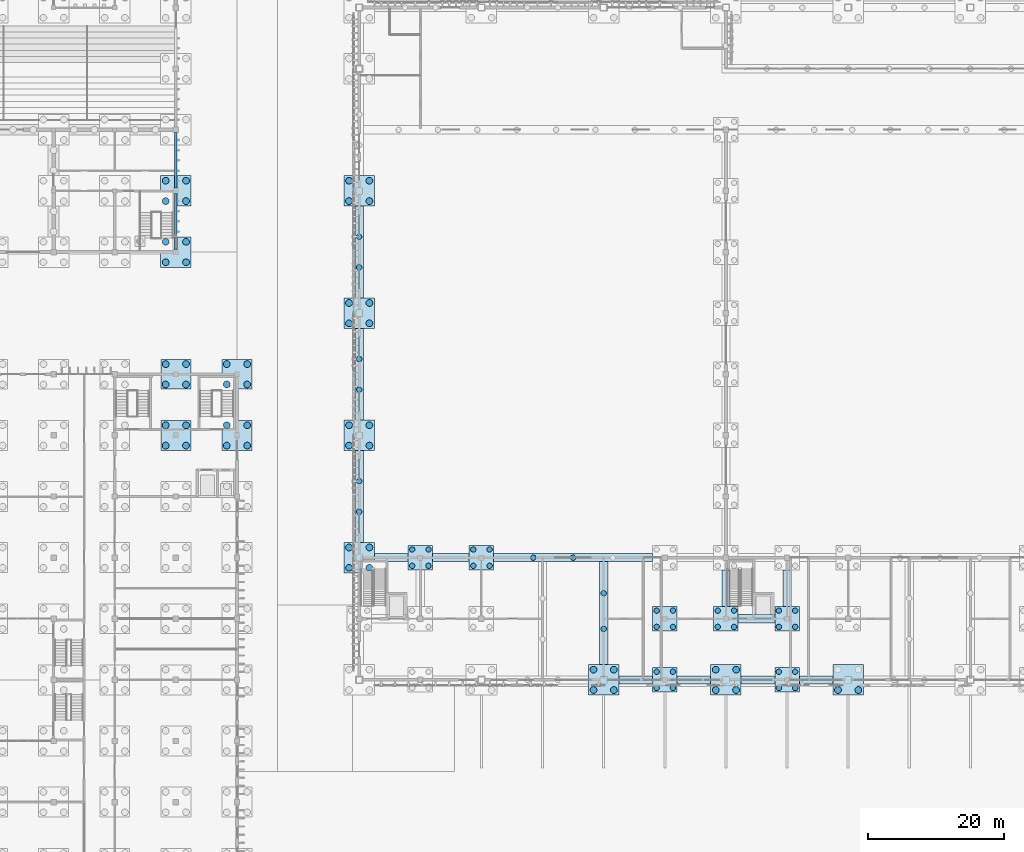
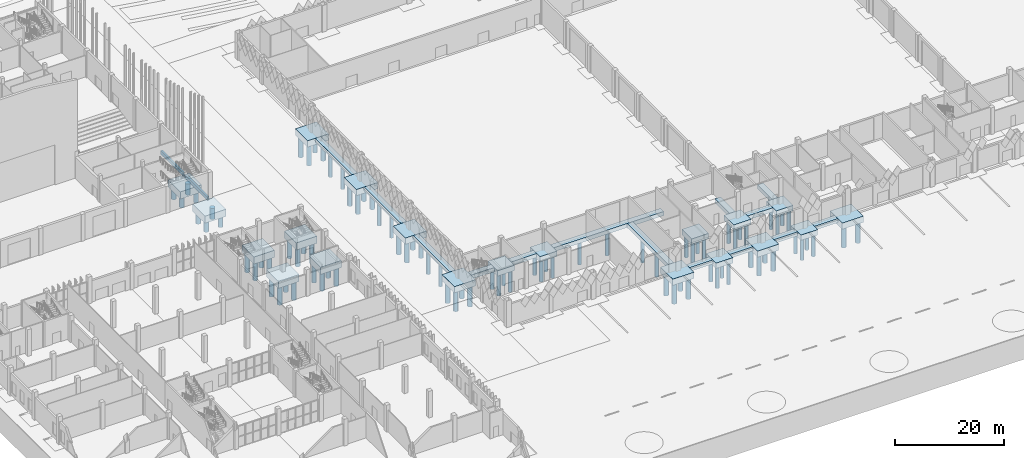
# One storey, part 5 of 198: 88 piles, 36 footings.
"""IFC4 building model written with IfcOpenShell, lengths in metres."""

from ifc_helpers import new_model, si_unit, direction, frame, origin, origin_2d, place, context, subcontext, project, spatial, polyline, circle, outline, extrude, material, layer, layer_set, material_profile, profile_set, type_object, element, save


model = new_model("IFC4")

# Units and contexts
model_context = context("Model", 3, precision=1e-05, world=origin(), true_north=direction((0.0, 1.0)))
body_context = subcontext(model_context, "Body", "Model", "MODEL_VIEW")
ifc_project = project(units=[si_unit("LENGTHUNIT", "METRE"), si_unit("AREAUNIT", "SQUARE_METRE"), si_unit("VOLUMEUNIT", "CUBIC_METRE"), si_unit("PLANEANGLEUNIT", "RADIAN"), si_unit("MASSUNIT", "GRAM", prefix="KILO")], contexts=[model_context])

# Site, building, storey
site_placement = place(None, origin())
site = spatial("IfcSite", under=ifc_project, at=site_placement, CompositionType="ELEMENT")
building_placement = place(site_placement, origin())
building = spatial("IfcBuilding", under=site, at=building_placement, Name="Opaline Strait Convention Centre", CompositionType="ELEMENT")
storey_placement = place(building_placement, origin())
storey = spatial("IfcBuildingStorey", under=building, at=storey_placement, Name="L00", CompositionType="ELEMENT", Elevation=0.0)

# Piles
ifc_material_1 = material(Name="Concrete C35", Category="concrete")
ifc_material_profile_1 = material_profile(ifc_material_1, circle(Radius=0.5, at=origin_2d()), Name="D1000")
ifc_profile_set_1 = profile_set([ifc_material_profile_1], Name="Concrete C35")
pile_type_1 = type_object("IfcPileType", Name="Bored pile D1000 C35", PredefinedType="BORED", material=ifc_profile_set_1)
for number, where, z_axis, x_axis, name in (
    (1, (97.5, 70.5, -1.300048828125), (0.0, 0.0, -1.0), (1.0, 0.0, 0.0), "Bored pile of cap 99/72"),
    (2, (97.5, 73.5, -1.300048828125), (0.0, 0.0, -1.0), (1.0, 0.0, 0.0), "Bored pile of cap 99/72"),
    (3, (100.5, 70.5, -1.300048828125), (0.0, 0.0, -1.0), (1.0, 0.0, 0.0), "Bored pile of cap 99/72"),
    (4, (100.5, 73.5, -1.300048828125), (0.0, 0.0, -1.0), (1.0, 0.0, 0.0), "Bored pile of cap 99/72"),
    (5, (97.5, 88.5, -1.300048828125), (0.0, 0.0, -1.0), (1.0, 0.0, 0.0), "Bored pile of cap 99/90"),
    (6, (97.5, 91.5, -1.300048828125), (0.0, 0.0, -1.0), (1.0, 0.0, 0.0), "Bored pile of cap 99/90"),
    (7, (100.5, 88.5, -1.300048828125), (0.0, 0.0, -1.0), (1.0, 0.0, 0.0), "Bored pile of cap 99/90"),
    (8, (100.5, 91.5, -1.300048828125), (0.0, 0.0, -1.0), (1.0, 0.0, 0.0), "Bored pile of cap 99/90"),
    (9, (97.5, 106.5, -1.300048828125), (0.0, 0.0, -1.0), (1.0, 0.0, 0.0), "Bored pile of cap 99/108"),
    (10, (97.5, 109.5, -1.300048828125), (0.0, 0.0, -1.0), (1.0, 0.0, 0.0), "Bored pile of cap 99/108"),
    (11, (100.5, 106.5, -1.300048828125), (0.0, 0.0, -1.0), (1.0, 0.0, 0.0), "Bored pile of cap 99/108"),
    (12, (100.5, 109.5, -1.300048828125), (0.0, 0.0, -1.0), (1.0, 0.0, 0.0), "Bored pile of cap 99/108"),
    (13, (97.5, 124.5, -1.300048828125), (0.0, 0.0, -1.0), (1.0, 0.0, 0.0), "Bored pile of cap 99/126"),
    (14, (97.5, 127.5, -1.300048828125), (0.0, 0.0, -1.0), (1.0, 0.0, 0.0), "Bored pile of cap 99/126"),
    (15, (100.5, 124.5, -1.300048828125), (0.0, 0.0, -1.0), (1.0, 0.0, 0.0), "Bored pile of cap 99/126"),
    (16, (100.5, 127.5, -1.300048828125), (0.0, 0.0, -1.0), (1.0, 0.0, 0.0), "Bored pile of cap 99/126"),
    (17, (133.5, 52.5, -1.300048828125), (0.0, 0.0, -1.0), (1.0, 0.0, 0.0), "Bored pile of cap 135/54"),
    (18, (133.5, 55.5, -1.300048828125), (0.0, 0.0, -1.0), (1.0, 0.0, 0.0), "Bored pile of cap 135/54"),
    (19, (136.5, 52.5, -1.300048828125), (0.0, 0.0, -1.0), (1.0, 0.0, 0.0), "Bored pile of cap 135/54"),
    (20, (136.5, 55.5, -1.300048828125), (0.0, 0.0, -1.0), (1.0, 0.0, 0.0), "Bored pile of cap 135/54"),
    (21, (151.5, 52.5, -1.300048828125), (0.0, 0.0, -1.0), (1.0, 0.0, 0.0), "Bored pile of cap 153/54"),
    (22, (151.5, 55.5, -1.300048828125), (0.0, 0.0, -1.0), (1.0, 0.0, 0.0), "Bored pile of cap 153/54"),
    (23, (154.5, 52.5, -1.300048828125), (0.0, 0.0, -1.0), (1.0, 0.0, 0.0), "Bored pile of cap 153/54"),
    (24, (154.5, 55.5, -1.300048828125), (0.0, 0.0, -1.0), (1.0, 0.0, 0.0), "Bored pile of cap 153/54"),
    (25, (169.5, 52.5, -1.300048828125), (0.0, 0.0, -1.0), (1.0, 0.0, 0.0), "Bored pile of cap 171/54"),
    (26, (172.5, 52.5, -1.300048828125), (0.0, 0.0, -1.0), (1.0, 0.0, 0.0), "Bored pile of cap 171/54"),
):
    element("IfcPile", number, at=place(storey_placement, frame(where, z_axis=z_axis, x_axis=x_axis)), inside=storey, type_object=pile_type_1, Name=name, PredefinedType="BORED", context=body_context, shape_type="SweptSolid", body=[
        extrude(circle(Radius=0.5, at=origin_2d()), origin(), (0.0, 0.0, 1.0), 4.699951171875),
    ])
ifc_material_profile_2 = material_profile(ifc_material_1, circle(Radius=0.5, at=origin_2d()), Name="D1000")
ifc_profile_set_2 = profile_set([ifc_material_profile_2], Name="Concrete C35")
pile_type_2 = type_object("IfcPileType", Name="Bored pile D1000 L2.5 C35", PredefinedType="BORED", material=ifc_profile_set_2)
for number, where, z_axis, x_axis, name in (
    (27, (70.5, 115.5, -3.5), (0.0, 0.0, -1.0), (1.0, 0.0, 0.0), "PPL1 pile 1 of PPC1 at 9/P"),
    (28, (70.5, 118.5, -3.5), (0.0, 0.0, -1.0), (1.0, 0.0, 0.0), "PPL1 pile 2 of PPC1 at 9/P"),
    (29, (73.5, 115.5, -3.5), (0.0, 0.0, -1.0), (1.0, 0.0, 0.0), "PPL1 pile 3 of PPC1 at 9/P"),
    (30, (73.5, 118.5, -3.5), (0.0, 0.0, -1.0), (1.0, 0.0, 0.0), "PPL1 pile 4 of PPC1 at 9/P"),
    (31, (70.5, 124.5, -3.5), (0.0, 0.0, -1.0), (1.0, 0.0, 0.0), "PPL1 pile 1 of PPC1 at 9/Q"),
    (32, (70.5, 127.5, -3.5), (0.0, 0.0, -1.0), (1.0, 0.0, 0.0), "PPL1 pile 2 of PPC1 at 9/Q"),
    (33, (73.5, 124.5, -3.5), (0.0, 0.0, -1.0), (1.0, 0.0, 0.0), "PPL1 pile 3 of PPC1 at 9/Q"),
    (34, (73.5, 127.5, -3.5), (0.0, 0.0, -1.0), (1.0, 0.0, 0.0), "PPL1 pile 4 of PPC1 at 9/Q"),
):
    element("IfcPile", number, at=place(storey_placement, frame(where, z_axis=z_axis, x_axis=x_axis)), inside=storey, type_object=pile_type_2, Name=name, PredefinedType="BORED", context=body_context, shape_type="SweptSolid", body=[
        extrude(circle(Radius=0.5, at=origin_2d()), origin(), (0.0, 0.0, 1.0), 2.5),
    ])
ifc_material_profile_3 = material_profile(ifc_material_1, circle(Radius=0.5, at=origin_2d()), Name="D1000")
ifc_profile_set_3 = profile_set([ifc_material_profile_3], Name="Concrete C35")
pile_type_3 = type_object("IfcPileType", Name="Bored pile D1000 L4.2 C35", PredefinedType="BORED", material=ifc_profile_set_3)
for number, where, z_axis, x_axis, name in (
    (35, (70.5, 88.5, -1.800048828125), (0.0, 0.0, -1.0), (1.0, 0.0, 0.0), "RPL1 pile 1 of cap at 72/90"),
    (36, (70.5, 91.5, -1.800048828125), (0.0, 0.0, -1.0), (1.0, 0.0, 0.0), "RPL1 pile 2 of cap at 72/90"),
    (37, (73.5, 88.5, -1.800048828125), (0.0, 0.0, -1.0), (1.0, 0.0, 0.0), "RPL1 pile 3 of cap at 72/90"),
    (38, (73.5, 91.5, -1.800048828125), (0.0, 0.0, -1.0), (1.0, 0.0, 0.0), "RPL1 pile 4 of cap at 72/90"),
    (39, (70.5, 97.5, -1.800048828125), (0.0, 0.0, -1.0), (1.0, 0.0, 0.0), "RPL1 pile 1 of cap at 72/99"),
    (40, (70.5, 100.5, -1.800048828125), (0.0, 0.0, -1.0), (1.0, 0.0, 0.0), "RPL1 pile 2 of cap at 72/99"),
    (41, (73.5, 97.5, -1.800048828125), (0.0, 0.0, -1.0), (1.0, 0.0, 0.0), "RPL1 pile 3 of cap at 72/99"),
    (42, (73.5, 100.5, -1.800048828125), (0.0, 0.0, -1.0), (1.0, 0.0, 0.0), "RPL1 pile 4 of cap at 72/99"),
    (43, (79.5, 88.5, -1.800048828125), (0.0, 0.0, -1.0), (1.0, 0.0, 0.0), "RPL1 pile 1 of cap at 81/90"),
    (44, (79.5, 91.5, -1.800048828125), (0.0, 0.0, -1.0), (1.0, 0.0, 0.0), "RPL1 pile 2 of cap at 81/90"),
    (45, (82.5, 88.5, -1.800048828125), (0.0, 0.0, -1.0), (1.0, 0.0, 0.0), "RPL1 pile 3 of cap at 81/90"),
    (46, (82.5, 91.5, -1.800048828125), (0.0, 0.0, -1.0), (1.0, 0.0, 0.0), "RPL1 pile 4 of cap at 81/90"),
    (47, (79.5, 97.5, -1.800048828125), (0.0, 0.0, -1.0), (1.0, 0.0, 0.0), "RPL1 pile 1 of cap at 81/99"),
    (48, (79.5, 100.5, -1.800048828125), (0.0, 0.0, -1.0), (1.0, 0.0, 0.0), "RPL1 pile 2 of cap at 81/99"),
    (49, (82.5, 97.5, -1.800048828125), (0.0, 0.0, -1.0), (1.0, 0.0, 0.0), "RPL1 pile 3 of cap at 81/99"),
    (50, (82.5, 100.5, -1.800048828125), (0.0, 0.0, -1.0), (1.0, 0.0, 0.0), "RPL1 pile 4 of cap at 81/99"),
):
    element("IfcPile", number, at=place(storey_placement, frame(where, z_axis=z_axis, x_axis=x_axis)), inside=storey, type_object=pile_type_3, Name=name, PredefinedType="BORED", context=body_context, shape_type="SweptSolid", body=[
        extrude(circle(Radius=0.5, at=origin_2d()), origin(), (0.0, 0.0, 1.0), 4.199951171875),
    ])
ifc_material_profile_4 = material_profile(ifc_material_1, circle(Radius=0.39990234375, at=origin_2d()), Name="D800")
ifc_profile_set_4 = profile_set([ifc_material_profile_4], Name="Concrete C35")
pile_type_4 = type_object("IfcPileType", Name="Bored pile D800 C35", PredefinedType="BORED", material=ifc_profile_set_4)
for number, where, z_axis, x_axis, name in (
    (51, (106.800048828125, 70.800048828125, -1.10009765625), (0.0, 0.0, -1.0), (1.0, 0.0, 0.0), "Bored pile of cap 108/72"),
    (52, (106.800048828125, 73.199951171875, -1.10009765625), (0.0, 0.0, -1.0), (1.0, 0.0, 0.0), "Bored pile of cap 108/72"),
    (53, (109.199951171875, 70.800048828125, -1.10009765625), (0.0, 0.0, -1.0), (1.0, 0.0, 0.0), "Bored pile of cap 108/72"),
    (54, (109.199951171875, 73.199951171875, -1.10009765625), (0.0, 0.0, -1.0), (1.0, 0.0, 0.0), "Bored pile of cap 108/72"),
    (55, (115.800048828125, 70.800048828125, -1.10009765625), (0.0, 0.0, -1.0), (1.0, 0.0, 0.0), "Bored pile of cap 117/72"),
    (56, (115.800048828125, 73.199951171875, -1.10009765625), (0.0, 0.0, -1.0), (1.0, 0.0, 0.0), "Bored pile of cap 117/72"),
    (57, (118.199951171875, 70.800048828125, -1.10009765625), (0.0, 0.0, -1.0), (1.0, 0.0, 0.0), "Bored pile of cap 117/72"),
    (58, (118.199951171875, 73.199951171875, -1.10009765625), (0.0, 0.0, -1.0), (1.0, 0.0, 0.0), "Bored pile of cap 117/72"),
    (59, (142.800048828125, 52.800048828125, -1.10009765625), (0.0, 0.0, -1.0), (1.0, 0.0, 0.0), "Bored pile of cap 144/54"),
    (60, (142.800048828125, 55.199951171875, -1.10009765625), (0.0, 0.0, -1.0), (1.0, 0.0, 0.0), "Bored pile of cap 144/54"),
    (61, (145.199951171875, 52.800048828125, -1.10009765625), (0.0, 0.0, -1.0), (1.0, 0.0, 0.0), "Bored pile of cap 144/54"),
    (62, (145.199951171875, 55.199951171875, -1.10009765625), (0.0, 0.0, -1.0), (1.0, 0.0, 0.0), "Bored pile of cap 144/54"),
    (63, (142.800048828125, 61.800048828125, -1.10009765625), (0.0, 0.0, -1.0), (1.0, 0.0, 0.0), "Bored pile of cap 144/63"),
    (64, (142.800048828125, 64.199951171875, -1.10009765625), (0.0, 0.0, -1.0), (1.0, 0.0, 0.0), "Bored pile of cap 144/63"),
    (65, (145.199951171875, 61.800048828125, -1.10009765625), (0.0, 0.0, -1.0), (1.0, 0.0, 0.0), "Bored pile of cap 144/63"),
    (66, (145.199951171875, 64.199951171875, -1.10009765625), (0.0, 0.0, -1.0), (1.0, 0.0, 0.0), "Bored pile of cap 144/63"),
    (67, (151.800048828125, 61.800048828125, -1.10009765625), (0.0, 0.0, -1.0), (1.0, 0.0, 0.0), "Bored pile of cap 153/63"),
    (68, (151.800048828125, 64.199951171875, -1.10009765625), (0.0, 0.0, -1.0), (1.0, 0.0, 0.0), "Bored pile of cap 153/63"),
    (69, (154.199951171875, 61.800048828125, -1.10009765625), (0.0, 0.0, -1.0), (1.0, 0.0, 0.0), "Bored pile of cap 153/63"),
    (70, (154.199951171875, 64.199951171875, -1.10009765625), (0.0, 0.0, -1.0), (1.0, 0.0, 0.0), "Bored pile of cap 153/63"),
    (71, (160.800048828125, 52.800048828125, -1.10009765625), (0.0, 0.0, -1.0), (1.0, 0.0, 0.0), "Bored pile of cap 162/54"),
    (72, (160.800048828125, 55.199951171875, -1.10009765625), (0.0, 0.0, -1.0), (1.0, 0.0, 0.0), "Bored pile of cap 162/54"),
    (73, (163.199951171875, 52.800048828125, -1.10009765625), (0.0, 0.0, -1.0), (1.0, 0.0, 0.0), "Bored pile of cap 162/54"),
    (74, (163.199951171875, 55.199951171875, -1.10009765625), (0.0, 0.0, -1.0), (1.0, 0.0, 0.0), "Bored pile of cap 162/54"),
    (75, (160.800048828125, 61.800048828125, -1.10009765625), (0.0, 0.0, -1.0), (1.0, 0.0, 0.0), "Bored pile of cap 162/63"),
    (76, (160.800048828125, 64.199951171875, -1.10009765625), (0.0, 0.0, -1.0), (1.0, 0.0, 0.0), "Bored pile of cap 162/63"),
    (77, (163.199951171875, 61.800048828125, -1.10009765625), (0.0, 0.0, -1.0), (1.0, 0.0, 0.0), "Bored pile of cap 162/63"),
    (78, (163.199951171875, 64.199951171875, -1.10009765625), (0.0, 0.0, -1.0), (1.0, 0.0, 0.0), "Bored pile of cap 162/63"),
):
    element("IfcPile", number, at=place(storey_placement, frame(where, z_axis=z_axis, x_axis=x_axis)), inside=storey, type_object=pile_type_4, Name=name, PredefinedType="BORED", context=body_context, shape_type="SweptSolid", body=[
        extrude(circle(Radius=0.39990234375, at=origin_2d()), origin(), (0.0, 0.0, 1.0), 4.89990234375),
    ])
for number, where, z_axis, x_axis, name in (
    (79, (99.0, 78.75, -0.800048828125), (0.0, 0.0, -1.0), (1.0, 0.0, 0.0), "Bored pile under pile cap beam 27"),
    (80, (99.0, 83.25, -0.800048828125), (0.0, 0.0, -1.0), (1.0, 0.0, 0.0), "Bored pile under pile cap beam 27"),
    (81, (99.0, 96.75, -0.800048828125), (0.0, 0.0, -1.0), (1.0, 0.0, 0.0), "Bored pile under pile cap beam 28"),
    (82, (99.0, 101.25, -0.800048828125), (0.0, 0.0, -1.0), (1.0, 0.0, 0.0), "Bored pile under pile cap beam 28"),
    (83, (99.0, 114.75, -0.800048828125), (0.0, 0.0, -1.0), (1.0, 0.0, 0.0), "Bored pile under pile cap beam 29"),
    (84, (99.0, 119.25, -0.800048828125), (0.0, 0.0, -1.0), (1.0, 0.0, 0.0), "Bored pile under pile cap beam 29"),
    (85, (124.64990234375, 72.0, -0.800048828125), (0.0, 0.0, -1.0), (1.0, 0.0, 0.0), "Bored pile under pile cap beam 55"),
    (86, (130.5, 72.0, -0.800048828125), (0.0, 0.0, -1.0), (1.0, 0.0, 0.0), "Bored pile under pile cap beam 55"),
    (87, (135.0, 61.5, -0.800048828125), (0.0, 0.0, -1.0), (1.0, 0.0, 0.0), "Bored pile under pile cap beam 72"),
    (88, (135.0, 66.75, -0.800048828125), (0.0, 0.0, -1.0), (1.0, 0.0, 0.0), "Bored pile under pile cap beam 72"),
):
    element("IfcPile", number, at=place(storey_placement, frame(where, z_axis=z_axis, x_axis=x_axis)), inside=storey, type_object=pile_type_4, Name=name, PredefinedType="BORED", context=body_context, shape_type="SweptSolid", body=[
        extrude(circle(Radius=0.39990234375, at=origin_2d()), origin(), (0.0, 0.0, 1.0), 5.199951171875),
    ])

# Footings
footing_type_1 = type_object("IfcFootingType", Name="Ground beam 1200 x 900 C35", PredefinedType="FOOTING_BEAM", material=ifc_material_1)
footing_1_placement = place(storey_placement, frame((0.0, 0.0, -0.89990234375)))
element("IfcFooting", 89, at=footing_1_placement, inside=storey, type_object=footing_type_1, Name="Ground beam 4 on the y = 54 line", PredefinedType="FOOTING_BEAM", context=body_context, shape_type="SweptSolid", body=[
    extrude(outline(polyline([(137.25, 53.39990234375), (142.199951171875, 53.39990234375), (142.199951171875, 54.60009765625), (137.25, 54.60009765625), (137.25, 53.39990234375)])), origin(), (0.0, 0.0, 1.0), 0.89990234375),
])
footing_2_placement = place(storey_placement, frame((0.0, 0.0, -0.89990234375)))
element("IfcFooting", 90, at=footing_2_placement, inside=storey, type_object=footing_type_1, Name="Ground beam 5 on the y = 54 line", PredefinedType="FOOTING_BEAM", context=body_context, shape_type="SweptSolid", body=[
    extrude(outline(polyline([(145.800048828125, 53.39990234375), (150.75, 53.39990234375), (150.75, 54.60009765625), (145.800048828125, 54.60009765625), (145.800048828125, 53.39990234375)])), origin(), (0.0, 0.0, 1.0), 0.89990234375),
])
footing_3_placement = place(storey_placement, frame((0.0, 0.0, -0.89990234375)))
element("IfcFooting", 91, at=footing_3_placement, inside=storey, type_object=footing_type_1, Name="Ground beam 6 on the y = 54 line", PredefinedType="FOOTING_BEAM", context=body_context, shape_type="SweptSolid", body=[
    extrude(outline(polyline([(155.25, 53.39990234375), (160.199951171875, 53.39990234375), (160.199951171875, 54.60009765625), (155.25, 54.60009765625), (155.25, 53.39990234375)])), origin(), (0.0, 0.0, 1.0), 0.89990234375),
])
footing_4_placement = place(storey_placement, frame((0.0, 0.0, -0.89990234375)))
element("IfcFooting", 92, at=footing_4_placement, inside=storey, type_object=footing_type_1, Name="Ground beam 7 on the y = 54 line", PredefinedType="FOOTING_BEAM", context=body_context, shape_type="SweptSolid", body=[
    extrude(outline(polyline([(163.800048828125, 53.39990234375), (168.75, 53.39990234375), (168.75, 54.60009765625), (163.800048828125, 54.60009765625), (163.800048828125, 53.39990234375)])), origin(), (0.0, 0.0, 1.0), 0.89990234375),
])
footing_5_placement = place(storey_placement, frame((0.0, 0.0, -0.89990234375)))
element("IfcFooting", 93, at=footing_5_placement, inside=storey, type_object=footing_type_1, Name="Ground beam 53 on the y = 72 line", PredefinedType="FOOTING_BEAM", context=body_context, shape_type="SweptSolid", body=[
    extrude(outline(polyline([(101.25, 71.39990234375), (106.199951171875, 71.39990234375), (106.199951171875, 72.60009765625), (101.25, 72.60009765625), (101.25, 71.39990234375)])), origin(), (0.0, 0.0, 1.0), 0.89990234375),
])
footing_6_placement = place(storey_placement, frame((0.0, 0.0, -0.89990234375)))
element("IfcFooting", 94, at=footing_6_placement, inside=storey, type_object=footing_type_1, Name="Ground beam 54 on the y = 72 line", PredefinedType="FOOTING_BEAM", context=body_context, shape_type="SweptSolid", body=[
    extrude(outline(polyline([(109.800048828125, 71.39990234375), (115.199951171875, 71.39990234375), (115.199951171875, 72.60009765625), (109.800048828125, 72.60009765625), (109.800048828125, 71.39990234375)])), origin(), (0.0, 0.0, 1.0), 0.89990234375),
])
footing_7_placement = place(storey_placement, frame((0.0, 0.0, -0.89990234375)))
element("IfcFooting", 95, at=footing_7_placement, inside=storey, type_object=footing_type_1, Name="Ground beam 79 on the y = 63 line", PredefinedType="FOOTING_BEAM", context=body_context, shape_type="SweptSolid", body=[
    extrude(outline(polyline([(154.800048828125, 62.39990234375), (160.199951171875, 62.39990234375), (160.199951171875, 63.60009765625), (154.800048828125, 63.60009765625), (154.800048828125, 62.39990234375)])), origin(), (0.0, 0.0, 1.0), 0.89990234375),
])
footing_8_placement = place(storey_placement, frame((0.0, 0.0, -0.89990234375)))
element("IfcFooting", 96, at=footing_8_placement, inside=storey, type_object=footing_type_1, Name="Ground beam 80 on the x = 153 line", PredefinedType="FOOTING_BEAM", context=body_context, shape_type="SweptSolid", body=[
    extrude(outline(polyline([(152.39990234375, 64.800048828125), (153.60009765625, 64.800048828125), (153.60009765625, 70.199951171875), (152.39990234375, 70.199951171875), (152.39990234375, 64.800048828125)])), origin(), (0.0, 0.0, 1.0), 0.89990234375),
])
footing_9_placement = place(storey_placement, frame((0.0, 0.0, -0.89990234375)))
element("IfcFooting", 97, at=footing_9_placement, inside=storey, type_object=footing_type_1, Name="Ground beam 81 on the x = 162 line", PredefinedType="FOOTING_BEAM", context=body_context, shape_type="SweptSolid", body=[
    extrude(outline(polyline([(161.39990234375, 64.800048828125), (162.60009765625, 64.800048828125), (162.60009765625, 70.199951171875), (161.39990234375, 70.199951171875), (161.39990234375, 64.800048828125)])), origin(), (0.0, 0.0, 1.0), 0.89990234375),
])
ifc_material_2 = material(Name="Concrete C40", Category="concrete")
ifc_layer_1 = layer(ifc_material_2, 1.199951171875)
ifc_layer_set_1 = layer_set([ifc_layer_1], Name="Concrete C40")
footing_type_2 = type_object("IfcFootingType", Name="Pile cap 3600 x 3600 x 1200 C40", PredefinedType="PILE_CAP", material=ifc_layer_set_1)
footing_10_placement = place(storey_placement, frame((0.0, 0.0, -1.199951171875)))
element("IfcFooting", 98, at=footing_10_placement, inside=storey, type_object=footing_type_2, Name="Column pile cap at 108/72", PredefinedType="PILE_CAP", context=body_context, shape_type="SweptSolid", body=[
    extrude(outline(polyline([(106.199951171875, 70.199951171875), (109.800048828125, 70.199951171875), (109.800048828125, 73.800048828125), (106.199951171875, 73.800048828125), (106.199951171875, 70.199951171875)])), origin(), (0.0, 0.0, 1.0), 1.199951171875),
])
footing_11_placement = place(storey_placement, frame((0.0, 0.0, -1.199951171875)))
element("IfcFooting", 99, at=footing_11_placement, inside=storey, type_object=footing_type_2, Name="Column pile cap at 117/72", PredefinedType="PILE_CAP", context=body_context, shape_type="SweptSolid", body=[
    extrude(outline(polyline([(115.199951171875, 70.199951171875), (118.800048828125, 70.199951171875), (118.800048828125, 73.800048828125), (115.199951171875, 73.800048828125), (115.199951171875, 70.199951171875)])), origin(), (0.0, 0.0, 1.0), 1.199951171875),
])
footing_12_placement = place(storey_placement, frame((0.0, 0.0, -1.199951171875)))
element("IfcFooting", 100, at=footing_12_placement, inside=storey, type_object=footing_type_2, Name="Column pile cap at 144/54", PredefinedType="PILE_CAP", context=body_context, shape_type="SweptSolid", body=[
    extrude(outline(polyline([(142.199951171875, 52.199951171875), (145.800048828125, 52.199951171875), (145.800048828125, 55.800048828125), (142.199951171875, 55.800048828125), (142.199951171875, 52.199951171875)])), origin(), (0.0, 0.0, 1.0), 1.199951171875),
])
footing_13_placement = place(storey_placement, frame((0.0, 0.0, -1.199951171875)))
element("IfcFooting", 101, at=footing_13_placement, inside=storey, type_object=footing_type_2, Name="Column pile cap at 144/63", PredefinedType="PILE_CAP", context=body_context, shape_type="SweptSolid", body=[
    extrude(outline(polyline([(142.199951171875, 61.199951171875), (145.800048828125, 61.199951171875), (145.800048828125, 64.800048828125), (142.199951171875, 64.800048828125), (142.199951171875, 61.199951171875)])), origin(), (0.0, 0.0, 1.0), 1.199951171875),
])
footing_14_placement = place(storey_placement, frame((0.0, 0.0, -1.199951171875)))
element("IfcFooting", 102, at=footing_14_placement, inside=storey, type_object=footing_type_2, Name="Column pile cap at 153/63", PredefinedType="PILE_CAP", context=body_context, shape_type="SweptSolid", body=[
    extrude(outline(polyline([(151.199951171875, 61.199951171875), (154.800048828125, 61.199951171875), (154.800048828125, 64.800048828125), (151.199951171875, 64.800048828125), (151.199951171875, 61.199951171875)])), origin(), (0.0, 0.0, 1.0), 1.199951171875),
])
footing_15_placement = place(storey_placement, frame((0.0, 0.0, -1.199951171875)))
element("IfcFooting", 103, at=footing_15_placement, inside=storey, type_object=footing_type_2, Name="Column pile cap at 162/54", PredefinedType="PILE_CAP", context=body_context, shape_type="SweptSolid", body=[
    extrude(outline(polyline([(160.199951171875, 52.199951171875), (163.800048828125, 52.199951171875), (163.800048828125, 55.800048828125), (160.199951171875, 55.800048828125), (160.199951171875, 52.199951171875)])), origin(), (0.0, 0.0, 1.0), 1.199951171875),
])
footing_16_placement = place(storey_placement, frame((0.0, 0.0, -1.199951171875)))
element("IfcFooting", 104, at=footing_16_placement, inside=storey, type_object=footing_type_2, Name="Column pile cap at 162/63", PredefinedType="PILE_CAP", context=body_context, shape_type="SweptSolid", body=[
    extrude(outline(polyline([(160.199951171875, 61.199951171875), (163.800048828125, 61.199951171875), (163.800048828125, 64.800048828125), (160.199951171875, 64.800048828125), (160.199951171875, 61.199951171875)])), origin(), (0.0, 0.0, 1.0), 1.199951171875),
])
ifc_layer_2 = layer(ifc_material_1, 1.60009765625)
ifc_layer_set_2 = layer_set([ifc_layer_2], Name="Concrete C35")
footing_type_3 = type_object("IfcFootingType", Name="Pile cap 4400 x 4400 x 1600 C35", PredefinedType="PILE_CAP", material=ifc_layer_set_2)
footing_17_placement = place(storey_placement, frame((0.0, 0.0, -1.89990234375)))
element("IfcFooting", 105, at=footing_17_placement, inside=storey, type_object=footing_type_3, Name="RPC1 pile cap at 72/90", PredefinedType="PILE_CAP", context=body_context, shape_type="SweptSolid", body=[
    extrude(outline(polyline([(69.800048828125, 87.800048828125), (74.199951171875, 87.800048828125), (74.199951171875, 92.199951171875), (69.800048828125, 92.199951171875), (69.800048828125, 87.800048828125)])), origin(), (0.0, 0.0, 1.0), 1.599853515625),
])
footing_18_placement = place(storey_placement, frame((0.0, 0.0, -1.89990234375)))
element("IfcFooting", 106, at=footing_18_placement, inside=storey, type_object=footing_type_3, Name="RPC1 pile cap at 72/99", PredefinedType="PILE_CAP", context=body_context, shape_type="SweptSolid", body=[
    extrude(outline(polyline([(69.800048828125, 96.800048828125), (74.199951171875, 96.800048828125), (74.199951171875, 101.199951171875), (69.800048828125, 101.199951171875), (69.800048828125, 96.800048828125)])), origin(), (0.0, 0.0, 1.0), 1.599853515625),
])
footing_19_placement = place(storey_placement, frame((0.0, 0.0, -1.89990234375)))
element("IfcFooting", 107, at=footing_19_placement, inside=storey, type_object=footing_type_3, Name="RPC1 pile cap at 81/90", PredefinedType="PILE_CAP", context=body_context, shape_type="SweptSolid", body=[
    extrude(outline(polyline([(78.800048828125, 87.800048828125), (83.199951171875, 87.800048828125), (83.199951171875, 92.199951171875), (78.800048828125, 92.199951171875), (78.800048828125, 87.800048828125)])), origin(), (0.0, 0.0, 1.0), 1.599853515625),
])
footing_20_placement = place(storey_placement, frame((0.0, 0.0, -1.89990234375)))
element("IfcFooting", 108, at=footing_20_placement, inside=storey, type_object=footing_type_3, Name="RPC1 pile cap at 81/99", PredefinedType="PILE_CAP", context=body_context, shape_type="SweptSolid", body=[
    extrude(outline(polyline([(78.800048828125, 96.800048828125), (83.199951171875, 96.800048828125), (83.199951171875, 101.199951171875), (78.800048828125, 101.199951171875), (78.800048828125, 96.800048828125)])), origin(), (0.0, 0.0, 1.0), 1.599853515625),
])
ifc_layer_3 = layer(ifc_material_2, 1.39990234375)
ifc_layer_set_3 = layer_set([ifc_layer_3], Name="Concrete C40")
footing_type_4 = type_object("IfcFootingType", Name="Pile cap 4500 x 4500 x 1400 C40", PredefinedType="PILE_CAP", material=ifc_layer_set_3)
footing_21_placement = place(storey_placement, frame((0.0, 0.0, -1.39990234375)))
element("IfcFooting", 109, at=footing_21_placement, inside=storey, type_object=footing_type_4, Name="Roof column pile cap at 99/72", PredefinedType="PILE_CAP", context=body_context, shape_type="SweptSolid", body=[
    extrude(outline(polyline([(96.75, 69.75), (101.25, 69.75), (101.25, 74.25), (96.75, 74.25), (96.75, 69.75)])), origin(), (0.0, 0.0, 1.0), 1.39990234375),
])
footing_22_placement = place(storey_placement, frame((0.0, 0.0, -1.39990234375)))
element("IfcFooting", 110, at=footing_22_placement, inside=storey, type_object=footing_type_4, Name="Roof column pile cap at 99/90", PredefinedType="PILE_CAP", context=body_context, shape_type="SweptSolid", body=[
    extrude(outline(polyline([(96.75, 87.75), (101.25, 87.75), (101.25, 92.25), (96.75, 92.25), (96.75, 87.75)])), origin(), (0.0, 0.0, 1.0), 1.39990234375),
])
footing_23_placement = place(storey_placement, frame((0.0, 0.0, -1.39990234375)))
element("IfcFooting", 111, at=footing_23_placement, inside=storey, type_object=footing_type_4, Name="Roof column pile cap at 99/108", PredefinedType="PILE_CAP", context=body_context, shape_type="SweptSolid", body=[
    extrude(outline(polyline([(96.75, 105.75), (101.25, 105.75), (101.25, 110.25), (96.75, 110.25), (96.75, 105.75)])), origin(), (0.0, 0.0, 1.0), 1.39990234375),
])
footing_24_placement = place(storey_placement, frame((0.0, 0.0, -1.39990234375)))
element("IfcFooting", 112, at=footing_24_placement, inside=storey, type_object=footing_type_4, Name="Roof column pile cap at 99/126", PredefinedType="PILE_CAP", context=body_context, shape_type="SweptSolid", body=[
    extrude(outline(polyline([(96.75, 123.75), (101.25, 123.75), (101.25, 128.25), (96.75, 128.25), (96.75, 123.75)])), origin(), (0.0, 0.0, 1.0), 1.39990234375),
])
footing_25_placement = place(storey_placement, frame((0.0, 0.0, -1.39990234375)))
element("IfcFooting", 113, at=footing_25_placement, inside=storey, type_object=footing_type_4, Name="Roof column pile cap at 135/54", PredefinedType="PILE_CAP", context=body_context, shape_type="SweptSolid", body=[
    extrude(outline(polyline([(132.75, 51.75), (137.25, 51.75), (137.25, 56.25), (132.75, 56.25), (132.75, 51.75)])), origin(), (0.0, 0.0, 1.0), 1.39990234375),
])
footing_26_placement = place(storey_placement, frame((0.0, 0.0, -1.39990234375)))
element("IfcFooting", 114, at=footing_26_placement, inside=storey, type_object=footing_type_4, Name="Roof column pile cap at 153/54", PredefinedType="PILE_CAP", context=body_context, shape_type="SweptSolid", body=[
    extrude(outline(polyline([(150.75, 51.75), (155.25, 51.75), (155.25, 56.25), (150.75, 56.25), (150.75, 51.75)])), origin(), (0.0, 0.0, 1.0), 1.39990234375),
])
footing_27_placement = place(storey_placement, frame((0.0, 0.0, -1.39990234375)))
element("IfcFooting", 115, at=footing_27_placement, inside=storey, type_object=footing_type_4, Name="Roof column pile cap at 171/54", PredefinedType="PILE_CAP", context=body_context, shape_type="SweptSolid", body=[
    extrude(outline(polyline([(168.75, 51.75), (173.25, 51.75), (173.25, 56.25), (168.75, 56.25), (168.75, 51.75)])), origin(), (0.0, 0.0, 1.0), 1.39990234375),
])
ifc_layer_4 = layer(ifc_material_1, 1.60009765625)
ifc_layer_set_4 = layer_set([ifc_layer_4], Name="Concrete C35")
footing_type_5 = type_object("IfcFootingType", Name="Pile cap 4500 x 4500 x 1600 C35", PredefinedType="PILE_CAP", material=ifc_layer_set_4)
footing_28_placement = place(storey_placement, frame((0.0, 0.0, -3.60009765625)))
element("IfcFooting", 116, at=footing_28_placement, inside=storey, type_object=footing_type_5, Name="PPC1 pile cap at 9/P", PredefinedType="PILE_CAP", context=body_context, shape_type="SweptSolid", body=[
    extrude(outline(polyline([(69.75, 114.75), (74.25, 114.75), (74.25, 119.25), (69.75, 119.25), (69.75, 114.75)])), origin(), (0.0, 0.0, 1.0), 1.60009765625),
])
footing_29_placement = place(storey_placement, frame((0.0, 0.0, -3.60009765625)))
element("IfcFooting", 117, at=footing_29_placement, inside=storey, type_object=footing_type_5, Name="PPC1 pile cap at 9/Q", PredefinedType="PILE_CAP", context=body_context, shape_type="SweptSolid", body=[
    extrude(outline(polyline([(69.75, 123.75), (74.25, 123.75), (74.25, 128.25), (69.75, 128.25), (69.75, 123.75)])), origin(), (0.0, 0.0, 1.0), 1.60009765625),
])
footing_type_6 = type_object("IfcFootingType", Name="Pile cap beam 1200 x 900 C40", PredefinedType="PILE_CAP", material=ifc_material_2)
footing_30_placement = place(storey_placement, frame((0.0, 0.0, -0.89990234375)))
element("IfcFooting", 118, at=footing_30_placement, inside=storey, type_object=footing_type_6, Name="Pile cap beam 27 on the x = 99 line", PredefinedType="PILE_CAP", context=body_context, shape_type="SweptSolid", body=[
    extrude(outline(polyline([(98.39990234375, 74.25), (99.60009765625, 74.25), (99.60009765625, 87.75), (98.39990234375, 87.75), (98.39990234375, 74.25)])), origin(), (0.0, 0.0, 1.0), 0.89990234375),
])
footing_31_placement = place(storey_placement, frame((0.0, 0.0, -0.89990234375)))
element("IfcFooting", 119, at=footing_31_placement, inside=storey, type_object=footing_type_6, Name="Pile cap beam 28 on the x = 99 line", PredefinedType="PILE_CAP", context=body_context, shape_type="SweptSolid", body=[
    extrude(outline(polyline([(98.39990234375, 92.25), (99.60009765625, 92.25), (99.60009765625, 105.75), (98.39990234375, 105.75), (98.39990234375, 92.25)])), origin(), (0.0, 0.0, 1.0), 0.89990234375),
])
footing_32_placement = place(storey_placement, frame((0.0, 0.0, -0.89990234375)))
element("IfcFooting", 120, at=footing_32_placement, inside=storey, type_object=footing_type_6, Name="Pile cap beam 29 on the x = 99 line", PredefinedType="PILE_CAP", context=body_context, shape_type="SweptSolid", body=[
    extrude(outline(polyline([(98.39990234375, 110.25), (99.60009765625, 110.25), (99.60009765625, 123.75), (98.39990234375, 123.75), (98.39990234375, 110.25)])), origin(), (0.0, 0.0, 1.0), 0.89990234375),
])
footing_33_placement = place(storey_placement, frame((0.0, 0.0, -0.89990234375)))
element("IfcFooting", 121, at=footing_33_placement, inside=storey, type_object=footing_type_6, Name="Pile cap beam 55 on the y = 72 line", PredefinedType="PILE_CAP", context=body_context, shape_type="SweptSolid", body=[
    extrude(outline(polyline([(118.800048828125, 71.39990234375), (142.199951171875, 71.39990234375), (142.199951171875, 72.60009765625), (118.800048828125, 72.60009765625), (118.800048828125, 71.39990234375)])), origin(), (0.0, 0.0, 1.0), 0.89990234375),
])
footing_34_placement = place(storey_placement, frame((0.0, 0.0, -0.89990234375)))
element("IfcFooting", 122, at=footing_34_placement, inside=storey, type_object=footing_type_6, Name="Pile cap beam 72 on the x = 135 line", PredefinedType="PILE_CAP", context=body_context, shape_type="SweptSolid", body=[
    extrude(outline(polyline([(134.39990234375, 56.25), (135.60009765625, 56.25), (135.60009765625, 71.39990234375), (134.39990234375, 71.39990234375), (134.39990234375, 56.25)])), origin(), (0.0, 0.0, 1.0), 0.89990234375),
])
ifc_layer_5 = layer(ifc_material_1, 0.800048828125)
ifc_layer_set_5 = layer_set([ifc_layer_5], Name="Concrete C35")
footing_type_7 = type_object("IfcFootingType", Name="RC wall strip footing 400 x 800 C35", PredefinedType="STRIP_FOOTING", material=ifc_layer_set_5)
footing_35_placement = place(storey_placement, frame((0.0, 0.0, -0.800048828125)))
element("IfcFooting", 123, at=footing_35_placement, inside=storey, type_object=footing_type_7, Name="PWF1 wall strip footing 72-117-126", PredefinedType="STRIP_FOOTING", context=body_context, shape_type="SweptSolid", body=[
    extrude(outline(polyline([(71.800048828125, 117.39990234375), (72.199951171875, 117.39990234375), (72.199951171875, 125.60009765625), (71.800048828125, 125.60009765625), (71.800048828125, 117.39990234375)])), origin(), (0.0, 0.0, 1.0), 0.800048828125),
])
footing_36_placement = place(storey_placement, frame((0.0, 0.0, -0.800048828125)))
element("IfcFooting", 124, at=footing_36_placement, inside=storey, type_object=footing_type_7, Name="PWF1 wall strip footing 72-126-135", PredefinedType="STRIP_FOOTING", context=body_context, shape_type="SweptSolid", body=[
    extrude(outline(polyline([(71.800048828125, 126.39990234375), (72.199951171875, 126.39990234375), (72.199951171875, 134.60009765625), (71.800048828125, 134.60009765625), (71.800048828125, 126.39990234375)])), origin(), (0.0, 0.0, 1.0), 0.800048828125),
])

save(model, "model.ifc")
